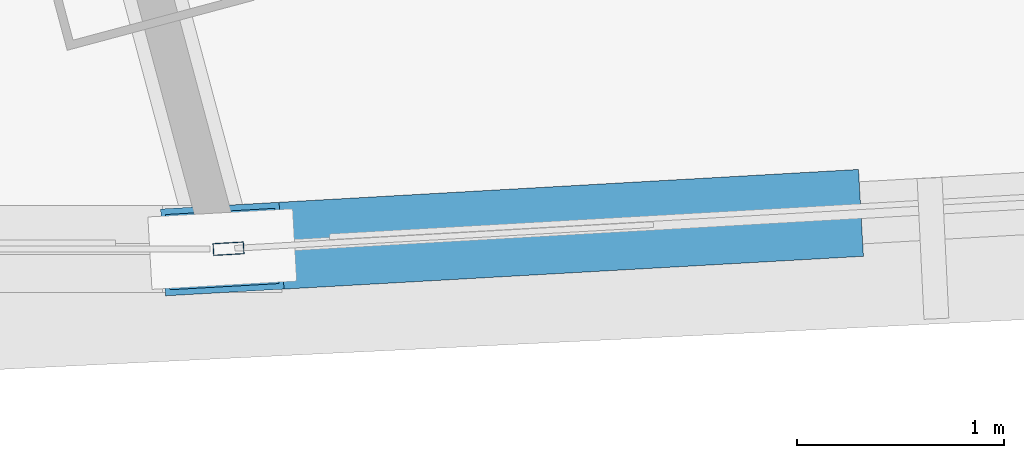
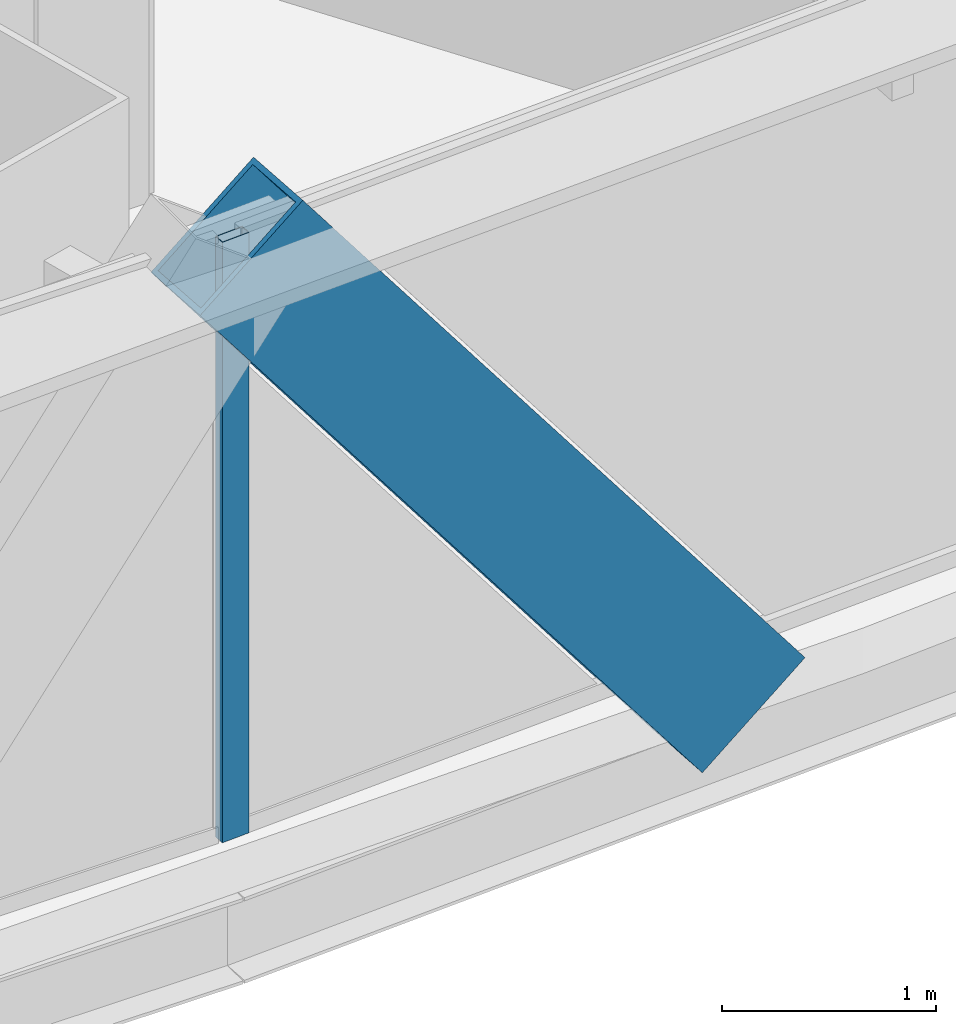
# One storey, part 12 of 39: 2 members, 1 element without a shape of its own.
"""IFC4 building model written with IfcOpenShell, lengths in metres."""

from ifc_helpers import new_model, si_unit, direction, frame, origin, origin_2d, place, context, subcontext, project, spatial, hollow_rectangle, extrude, source, transform, mapped, material, layer, layer_set, material_profile, profile_set, type_object, element, aggregate, save


model = new_model("IFC4")

# Units and contexts
model_context = context("Model", 3, precision=1e-05, world=origin(), true_north=direction((0.0, 1.0)))
body_context = subcontext(model_context, "Body", "Model", "MODEL_VIEW")
ifc_project = project(units=[si_unit("LENGTHUNIT", "METRE"), si_unit("AREAUNIT", "SQUARE_METRE"), si_unit("VOLUMEUNIT", "CUBIC_METRE"), si_unit("PLANEANGLEUNIT", "RADIAN"), si_unit("MASSUNIT", "GRAM", prefix="KILO"), si_unit("THERMODYNAMICTEMPERATUREUNIT", "KELVIN"), si_unit("POWERUNIT", "WATT")], contexts=[model_context])

# Site, building, storey
site_placement = place(None, origin())
site = spatial("IfcSite", under=ifc_project, at=site_placement, CompositionType="ELEMENT")
building_placement = place(site_placement, origin())
building = spatial("IfcBuilding", under=site, at=building_placement, Name="Yunzhuo Pagoda Commons", CompositionType="ELEMENT")
storey_placement = place(building_placement, frame((0.0, 0.0, 140.8701171875)))
storey = spatial("IfcBuildingStorey", under=building, at=storey_placement, Name="L35", CompositionType="ELEMENT", Elevation=140.8701171875)

# Member
ifc_material_1 = material(Name="Structural steel Q420B", Category="steel")
ifc_material_profile_1 = material_profile(ifc_material_1, hollow_rectangle(XDim=0.419921875, YDim=0.719970703125, WallThickness=0.028076171875, at=origin_2d()), Name="Structural steel Q420B")
ifc_profile_set_1 = profile_set([ifc_material_profile_1], Name="Structural steel Q420B")
member_type_1 = type_object("IfcMemberType", Name="M-DL1 Brace BOX 720x420x28", PredefinedType="BRACE", material=ifc_profile_set_1)
shared_shape_1 = source(origin(), body_context, "Body", "SweptSolid", [
    extrude(hollow_rectangle(XDim=0.419921875, YDim=0.719970703125, WallThickness=0.028076171875, at=origin_2d()), origin(), (0.0, 0.0, 1.0), 4.625),
])
member_1_placement = place(storey_placement, frame((56.294921875, 13.339111328125, -0.260009765625), z_axis=(-0.604745460472, -0.034259759414, 0.795681592676), x_axis=(0.056560845928, -0.998399154, 0.0)))
element("IfcMember", 1, at=member_1_placement, inside=storey, type_object=member_type_1, Name="L35 facade diamond brace F1.3L", PredefinedType="BRACE", context=body_context, shape_type="MappedRepresentation", body=[
    mapped(shared_shape_1, transform((0.0, 0.0, 0.0), scale=1.0)),
])

# Curtain wall, member
ifc_material_2 = material(Name="Anodized aluminium 6063-T6", Category="aluminium")
ifc_layer = layer(ifc_material_2, 0.14990234375)
ifc_layer_set = layer_set([ifc_layer], Name="Anodized aluminium 6063-T6")
curtain_wall_type = type_object("IfcCurtainWallType", Name="CW-MID Mid-Zone Ribbon Curtain Wall", PredefinedType="NOTDEFINED", material=ifc_layer_set)
curtain_wall_placement = place(storey_placement, origin())
curtain_wall = element("IfcCurtainWall", 2, at=curtain_wall_placement, inside=storey, type_object=curtain_wall_type, Name="L35 curtain wall CW-L35-F1B4", PredefinedType="NOTDEFINED")
ifc_material_profile_2 = material_profile(ifc_material_2, hollow_rectangle(XDim=0.06005859375, YDim=0.14990234375, WallThickness=0.00390625, at=origin_2d()), Name="Anodized aluminium 6063-T6")
ifc_profile_set_2 = profile_set([ifc_material_profile_2], Name="Anodized aluminium 6063-T6")
member_type_2 = type_object("IfcMemberType", Name="CW-MID-M Mullion RHS 150x60x4", PredefinedType="MULLION", material=ifc_profile_set_2)
shared_shape_2 = source(origin(), body_context, "Body", "SweptSolid", [
    extrude(hollow_rectangle(XDim=0.06005859375, YDim=0.14990234375, WallThickness=0.00390625, at=origin_2d()), origin(), (0.0, 0.0, 1.0), 3.419921875),
])
member_2_placement = place(storey_placement, frame((53.528076171875, 13.182373046875, 0.0), z_axis=(0.0, 0.0, 1.0), x_axis=(-0.056597401536, 0.998397082397, 0.0)))
member_2 = element("IfcMember", 3, at=member_2_placement, type_object=member_type_2, Name="CW mullion 1", PredefinedType="MULLION", context=body_context, shape_type="MappedRepresentation", body=[
    mapped(shared_shape_2, transform((0.0, 0.0, 0.0), scale=1.0)),
])
aggregate(curtain_wall, [member_2])

save(model, "model.ifc")
